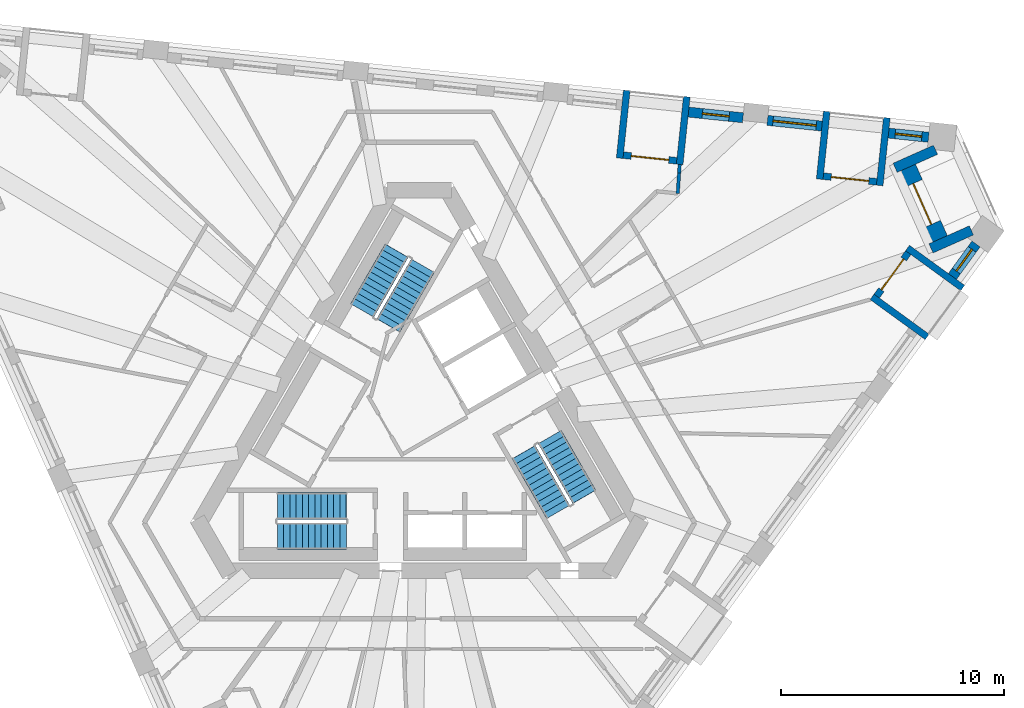
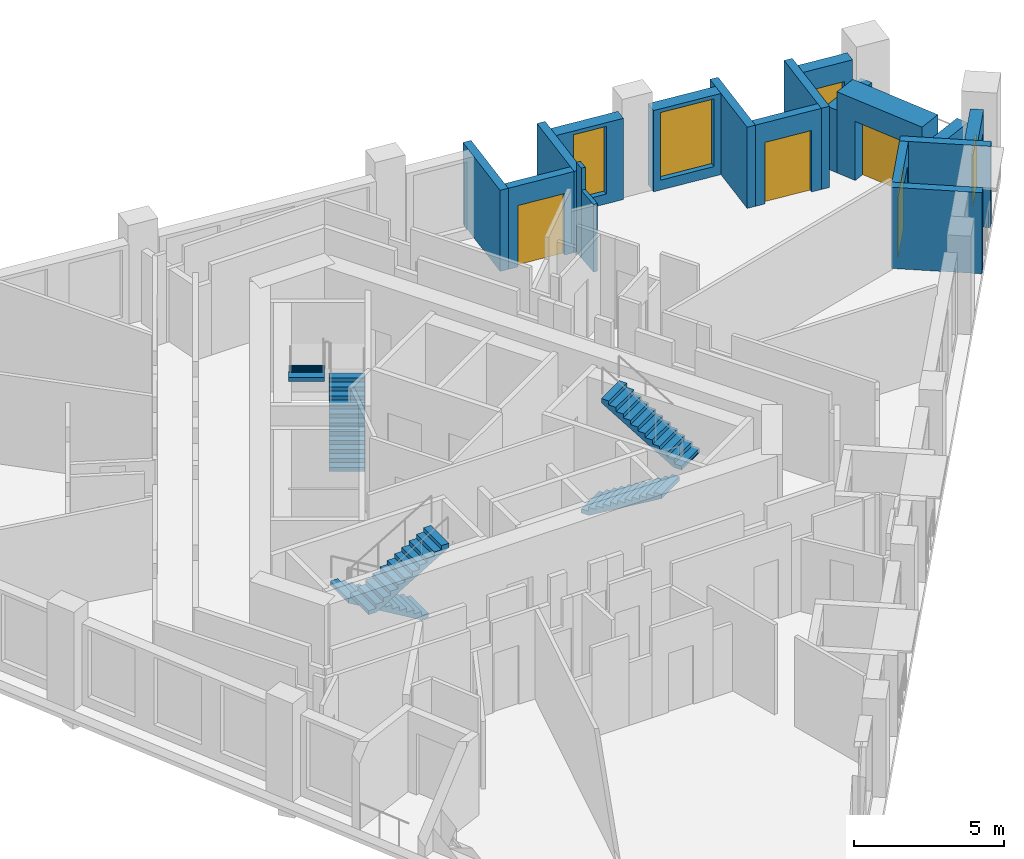
# One storey, part 8 of 11: 18 walls, 6 stair flights, 4 doors, 4 windows, 8 openings, 3 elements without a shape of their own.
"""IFC4 building model written with IfcOpenShell, lengths in metres."""

from ifc_helpers import new_model, si_unit, direction, frame, frame_2d, origin, place, context, subcontext, project, spatial, polyline, rectangle, outline, extrude, material, layer, layer_set, type_object, element, fill, aggregate, save


model = new_model("IFC4")

# Units and contexts
model_context = context("Model", 3, precision=1e-05, world=origin(), true_north=direction((0.0, 1.0)))
body_context = subcontext(model_context, "Body", "Model", "MODEL_VIEW")
ifc_project = project(units=[si_unit("LENGTHUNIT", "METRE"), si_unit("AREAUNIT", "SQUARE_METRE"), si_unit("VOLUMEUNIT", "CUBIC_METRE"), si_unit("PLANEANGLEUNIT", "RADIAN"), si_unit("MASSUNIT", "GRAM", prefix="KILO")], contexts=[model_context])

# Site, building, storey
site_placement = place(None, origin())
site = spatial("IfcSite", under=ifc_project, at=site_placement, CompositionType="ELEMENT")
building_placement = place(site_placement, origin())
building = spatial("IfcBuilding", under=site, at=building_placement, Name="Tramontana Tower", CompositionType="ELEMENT")
storey_placement = place(building_placement, frame((0.0, 0.0, 249.199951171875)))
storey = spatial("IfcBuildingStorey", under=building, at=storey_placement, Name="L58", CompositionType="ELEMENT", Elevation=249.199951171875)

# Wall, opening, window
ifc_material_1 = material(Name="Precast concrete 60 MPa", Category="concrete")
ifc_layer_1 = layer(ifc_material_1, 0.449951171875)
ifc_layer_set_1 = layer_set([ifc_layer_1], Name="Precast concrete 60 MPa, 450 mm")
wall_type_1 = type_object("IfcWallType", Name="EW1 Stone-faced precast wall 450", PredefinedType="SOLIDWALL", material=ifc_layer_set_1)
wall_1_placement = place(storey_placement, frame((23.868408203125, 6.77978515625, 0.0), z_axis=(0.0, 0.0, 1.0), x_axis=(0.587793056764, 0.809011324037, 0.0)))
wall_1 = element("IfcWall", 1, at=wall_1_placement, inside=storey, type_object=wall_type_1, Name="External wall L58 face 1 bay 5", PredefinedType="SOLIDWALL", context=body_context, shape_type="SweptSolid", body=[
    extrude(rectangle(XDim=1.80224609375, YDim=0.449951171875, at=frame_2d((0.901123046875, 0.0))), origin(), (0.0, 0.0, 1.0), 3.300048828125),
])
opening_1_placement = place(wall_1_placement, frame((0.301025390625, 0.0, 0.39990234375)))
opening_1 = element("IfcOpeningElement", 2, at=opening_1_placement, cuts=wall_1, Name="Opening N3L", PredefinedType="OPENING", context=body_context, shape_type="SweptSolid", body=[
    extrude(rectangle(XDim=1.199951171875, YDim=2.10009765625, at=frame_2d((0.60009765625, 1.050048828125))), frame((0.0, 0.23486328125, 0.0), z_axis=(0.0, -1.0, 0.0), x_axis=(1.0, 0.0, 0.0)), (0.0, 0.0, 1.0), 0.469970703125),
])
ifc_material_2 = material(Name="Aluminum frame, double glazing unit", Category="aluminium")
window_type_1 = type_object("IfcWindowType", Name="N3L Window 1.2 x 2.1", PartitioningType="SINGLE_PANEL", PredefinedType="WINDOW", material=ifc_material_2)
window_1_placement = place(opening_1_placement, origin())
window_1 = element("IfcWindow", 3, at=window_1_placement, inside=storey, type_object=window_type_1, Name="Window N3L L58 face 1 module 15", OverallHeight=2.10009765625, OverallWidth=1.199951171875, PartitioningType="SINGLE_PANEL", PredefinedType="WINDOW", context=body_context, shape_type="SweptSolid", body=[
    extrude(rectangle(XDim=1.199951171875, YDim=2.10009765625, at=frame_2d((0.60009765625, 1.050048828125))), frame((0.0, 0.030029296875, 0.0), z_axis=(0.0, -1.0, 0.0), x_axis=(1.0, 0.0, 0.0)), (0.0, 0.0, 1.0), 0.06005859375),
])
fill(opening_1, window_1)

wall_2_placement = place(storey_placement, frame((22.8017578125, 13.012939453125, 0.0), z_axis=(0.0, 0.0, 1.0), x_axis=(-0.994529922737, 0.104452059724, 0.0)))
wall_2 = element("IfcWall", 4, at=wall_2_placement, inside=storey, type_object=wall_type_1, Name="External wall L58 face 2 bay 1", PredefinedType="SOLIDWALL", context=body_context, shape_type="SweptSolid", body=[
    extrude(rectangle(XDim=1.802001953125, YDim=0.449951171875, at=frame_2d((0.90087890625, 0.0))), origin(), (0.0, 0.0, 1.0), 3.300048828125),
])
opening_2_placement = place(wall_2_placement, frame((0.301025390625, 0.0, 0.39990234375)))
opening_2 = element("IfcOpeningElement", 5, at=opening_2_placement, cuts=wall_2, Name="Opening N3L", PredefinedType="OPENING", context=body_context, shape_type="SweptSolid", body=[
    extrude(rectangle(XDim=1.199951171875, YDim=2.10009765625, at=frame_2d((0.60009765625, 1.050048828125))), frame((0.0, 0.23486328125, 0.0), z_axis=(0.0, -1.0, 0.0), x_axis=(1.0, 0.0, 0.0)), (0.0, 0.0, 1.0), 0.469970703125),
])
window_2_placement = place(opening_2_placement, origin())
window_2 = element("IfcWindow", 6, at=window_2_placement, inside=storey, type_object=window_type_1, Name="Window N3L L58 face 2 module 1", OverallHeight=2.10009765625, OverallWidth=1.199951171875, PartitioningType="SINGLE_PANEL", PredefinedType="WINDOW", context=body_context, shape_type="SweptSolid", body=[
    extrude(rectangle(XDim=1.199951171875, YDim=2.10009765625, at=frame_2d((0.60009765625, 1.050048828125))), frame((0.0, 0.030029296875, 0.0), z_axis=(0.0, -1.0, 0.0), x_axis=(1.0, 0.0, 0.0)), (0.0, 0.0, 1.0), 0.06005859375),
])
fill(opening_2, window_2)

wall_3_placement = place(storey_placement, frame((18.023681640625, 13.51513671875, 0.0), z_axis=(0.0, 0.0, 1.0), x_axis=(-0.994520717537, 0.104539668977, 0.0)))
wall_3 = element("IfcWall", 7, at=wall_3_placement, inside=storey, type_object=wall_type_1, Name="External wall L58 face 2 bay 1", PredefinedType="SOLIDWALL", context=body_context, shape_type="SweptSolid", body=[
    extrude(rectangle(XDim=2.4521484375, YDim=0.449951171875, at=frame_2d((1.22607421875, 0.0))), origin(), (0.0, 0.0, 1.0), 3.300048828125),
])
opening_3_placement = place(wall_3_placement, frame((0.251220703125, 0.0, 0.39990234375)))
opening_3 = element("IfcOpeningElement", 8, at=opening_3_placement, cuts=wall_3, Name="Opening M3", PredefinedType="OPENING", context=body_context, shape_type="SweptSolid", body=[
    extrude(rectangle(XDim=1.949951171875, YDim=2.75, at=frame_2d((0.97509765625, 1.375))), frame((0.0, 0.23486328125, 0.0), z_axis=(0.0, -1.0, 0.0), x_axis=(1.0, 0.0, 0.0)), (0.0, 0.0, 1.0), 0.469970703125),
])
ifc_material_3 = material(Name="Aluminum frame, double glazing unit", Category="aluminium")
window_type_2 = type_object("IfcWindowType", Name="M3 Window 1.95 x 2.75", PartitioningType="SINGLE_PANEL", PredefinedType="WINDOW", material=ifc_material_3)
window_3_placement = place(opening_3_placement, origin())
window_3 = element("IfcWindow", 9, at=window_3_placement, inside=storey, type_object=window_type_2, Name="Window M3 L58 face 2 module 3", OverallHeight=2.75, OverallWidth=1.949951171875, PartitioningType="SINGLE_PANEL", PredefinedType="WINDOW", context=body_context, shape_type="SweptSolid", body=[
    extrude(rectangle(XDim=1.949951171875, YDim=2.75, at=frame_2d((0.97509765625, 1.375))), frame((0.0, 0.030029296875, 0.0), z_axis=(0.0, -1.0, 0.0), x_axis=(1.0, 0.0, 0.0)), (0.0, 0.0, 1.0), 0.06005859375),
])
fill(opening_3, window_3)

wall_4_placement = place(storey_placement, frame((14.490966796875, 13.886474609375, 0.0), z_axis=(0.0, 0.0, 1.0), x_axis=(-0.99453214974, 0.104430853361, 0.0)))
wall_4 = element("IfcWall", 10, at=wall_4_placement, inside=storey, type_object=wall_type_1, Name="External wall L58 face 2 bay 2", PredefinedType="SOLIDWALL", context=body_context, shape_type="SweptSolid", body=[
    extrude(rectangle(XDim=2.452392578125, YDim=0.449951171875, at=frame_2d((1.22607421875, 0.0))), origin(), (0.0, 0.0, 1.0), 3.300048828125),
])
opening_4_placement = place(wall_4_placement, frame((0.626220703125, 0.0, 0.39990234375)))
opening_4 = element("IfcOpeningElement", 11, at=opening_4_placement, cuts=wall_4, Name="Opening N3", PredefinedType="OPENING", context=body_context, shape_type="SweptSolid", body=[
    extrude(rectangle(XDim=1.199951171875, YDim=2.75, at=frame_2d((0.60009765625, 1.375))), frame((0.0, 0.23486328125, 0.0), z_axis=(0.0, -1.0, 0.0), x_axis=(1.0, 0.0, 0.0)), (0.0, 0.0, 1.0), 0.469970703125),
])
ifc_material_4 = material(Name="Aluminum frame, double glazing unit", Category="aluminium")
window_type_3 = type_object("IfcWindowType", Name="N3 Window 1.2 x 2.75", PartitioningType="SINGLE_PANEL", PredefinedType="WINDOW", material=ifc_material_4)
window_4_placement = place(opening_4_placement, origin())
window_4 = element("IfcWindow", 12, at=window_4_placement, inside=storey, type_object=window_type_3, Name="Window N3 L58 face 2 module 4", OverallHeight=2.75, OverallWidth=1.199951171875, PartitioningType="SINGLE_PANEL", PredefinedType="WINDOW", context=body_context, shape_type="SweptSolid", body=[
    extrude(rectangle(XDim=1.199951171875, YDim=2.75, at=frame_2d((0.60009765625, 1.375))), frame((0.0, 0.030029296875, 0.0), z_axis=(0.0, -1.0, 0.0), x_axis=(1.0, 0.0, 0.0)), (0.0, 0.0, 1.0), 0.06005859375),
])
fill(opening_4, window_4)

# Walls
for number, where, z_axis, x_axis, name in (
    (13, (23.112548828125, 12.452392578125, 0.0), (0.0, 0.0, 1.0), (-0.913516289312, -0.406802149899, 0.0), "Corner loggia side wall L58 K62l"),
    (14, (24.71923828125, 8.84375, 0.0), (0.0, 0.0, 1.0), (-0.913562124494, -0.406699206651, 0.0), "Corner loggia side wall L58 K62r"),
):
    element("IfcWall", number, at=place(storey_placement, frame(where, z_axis=z_axis, x_axis=x_axis)), inside=storey, type_object=wall_type_1, Name=name, PredefinedType="SOLIDWALL", context=body_context, shape_type="SweptSolid", body=[
        extrude(rectangle(XDim=1.979248046875, YDim=0.449951171875, at=frame_2d((0.98974609375, 0.0))), origin(), (0.0, 0.0, 1.0), 2.550048828125),
    ])

# Wall, opening, door
ifc_material_5 = material(Name="Precast concrete 60 MPa", Category="concrete")
ifc_layer_2 = layer(ifc_material_5, 0.89990234375)
ifc_layer_set_2 = layer_set([ifc_layer_2], Name="EW2 Stone-faced corner loggia wall 900")
wall_type_2 = type_object("IfcWallType", Name="EW2 Stone-faced corner loggia wall 900", PredefinedType="SOLIDWALL", material=ifc_layer_set_2)
wall_5_placement = place(storey_placement, frame((21.80712890625, 11.624755859375, 0.0), z_axis=(0.0, 0.0, 1.0), x_axis=(0.406727323635, -0.913549606868, 0.0)))
wall_5 = element("IfcWall", 15, at=wall_5_placement, inside=storey, type_object=wall_type_2, Name="Corner loggia wall L58 K62", PredefinedType="SOLIDWALL", context=body_context, shape_type="SweptSolid", body=[
    extrude(rectangle(XDim=3.5, YDim=0.89990234375, at=frame_2d((1.75, 0.0))), origin(), (0.0, 0.0, 1.0), 3.300048828125),
])
opening_5_placement = place(wall_5_placement, frame((0.75, 0.0, 0.0)))
opening_5 = element("IfcOpeningElement", 16, at=opening_5_placement, cuts=wall_5, Name="Opening BD-62C", PredefinedType="OPENING", context=body_context, shape_type="SweptSolid", body=[
    extrude(rectangle(XDim=2.0, YDim=2.39990234375, at=frame_2d((1.0, 1.199951171875))), frame((0.0, 0.4599609375, 0.0), z_axis=(0.0, -1.0, 0.0), x_axis=(1.0, 0.0, 0.0)), (0.0, 0.0, 1.0), 0.919921875),
])
ifc_material_6 = material(Name="Aluminum frame, double glazing unit", Category="aluminium")
door_type_1 = type_object("IfcDoorType", Name="BC1 Sliding door 2 x 2.4", OperationType="SLIDING_TO_LEFT", PredefinedType="DOOR", material=ifc_material_6)
door_1_placement = place(opening_5_placement, origin())
door_1 = element("IfcDoor", 17, at=door_1_placement, inside=storey, type_object=door_type_1, Name="Corner loggia door L58 K62", OperationType="SLIDING_TO_LEFT", OverallHeight=2.39990234375, OverallWidth=2.0, PredefinedType="DOOR", context=body_context, shape_type="SweptSolid", body=[
    extrude(rectangle(XDim=2.0, YDim=2.39990234375, at=frame_2d((1.0, 1.199951171875))), frame((0.0, 0.02490234375, 0.0), z_axis=(0.0, -1.0, 0.0), x_axis=(1.0, 0.0, 0.0)), (0.0, 0.0, 1.0), 0.050048828125),
])
fill(opening_5, door_1)

ifc_material_7 = material(Name="Precast concrete 60 MPa", Category="concrete")
ifc_layer_3 = layer(ifc_material_7, 0.300048828125)
ifc_layer_set_3 = layer_set([ifc_layer_3], Name="LW1 Stone-faced loggia wall 300")
wall_type_3 = type_object("IfcWallType", Name="LW1 Stone-faced loggia wall 300", PredefinedType="SOLIDWALL", material=ifc_layer_set_3)
wall_6_placement = place(storey_placement, frame((20.47998046875, 5.9013671875, 0.0), z_axis=(0.0, 0.0, 1.0), x_axis=(0.587833242688, 0.808982125137, 0.0)))
wall_6 = element("IfcWall", 18, at=wall_6_placement, inside=storey, type_object=wall_type_3, Name="Loggia wall L58 G6S1.13", PredefinedType="SOLIDWALL", context=body_context, shape_type="SweptSolid", body=[
    extrude(rectangle(XDim=2.40234375, YDim=0.300048828125, at=frame_2d((1.201171875, 0.0))), origin(), (0.0, 0.0, 1.0), 3.300048828125),
])
opening_6_placement = place(wall_6_placement, frame((0.35107421875, 0.0, 0.0)))
opening_6 = element("IfcOpeningElement", 19, at=opening_6_placement, cuts=wall_6, Name="Opening BD-6S1-13", PredefinedType="OPENING", context=body_context, shape_type="SweptSolid", body=[
    extrude(rectangle(XDim=1.699951171875, YDim=2.5, at=frame_2d((0.85009765625, 1.25))), frame((0.0, 0.159912109375, 0.0), z_axis=(0.0, -1.0, 0.0), x_axis=(1.0, 0.0, 0.0)), (0.0, 0.0, 1.0), 0.320068359375),
])
ifc_material_8 = material(Name="Aluminum frame, double glazing unit", Category="aluminium")
door_type_2 = type_object("IfcDoorType", Name="BD3 Sliding door 1.7 x 2.5", OperationType="SLIDING_TO_LEFT", PredefinedType="DOOR", material=ifc_material_8)
door_2_placement = place(opening_6_placement, origin())
door_2 = element("IfcDoor", 20, at=door_2_placement, inside=storey, type_object=door_type_2, Name="Loggia door L58 G6S1.13", OperationType="SLIDING_TO_LEFT", OverallHeight=2.5, OverallWidth=1.699951171875, PredefinedType="DOOR", context=body_context, shape_type="SweptSolid", body=[
    extrude(rectangle(XDim=1.699951171875, YDim=2.5, at=frame_2d((0.85009765625, 1.25))), frame((0.0, 0.02490234375, 0.0), z_axis=(0.0, -1.0, 0.0), x_axis=(1.0, 0.0, 0.0)), (0.0, 0.0, 1.0), 0.050048828125),
])
fill(opening_6, door_2)

# Walls
for number, where, z_axis, x_axis, name in (
    (21, (22.738037109375, 4.075439453125, 0.0), (0.0, 0.0, 1.0), (-0.80902328748, 0.587776590479, 0.0), "Loggia return L58 G6S1.13a"),
    (22, (24.326416015625, 6.261474609375, 0.0), (0.0, 0.0, 1.0), (-0.808985223782, 0.587828978278, 0.0), "Loggia return L58 G6S1.13b"),
):
    element("IfcWall", number, at=place(storey_placement, frame(where, z_axis=z_axis, x_axis=x_axis)), inside=storey, type_object=wall_type_3, Name=name, PredefinedType="SOLIDWALL", context=body_context, shape_type="SweptSolid", body=[
        extrude(rectangle(XDim=3.050048828125, YDim=0.300048828125, at=frame_2d((1.52490234375, 0.0))), origin(), (0.0, 0.0, 1.0), 3.300048828125),
    ])

# Wall, opening, door
wall_7_placement = place(storey_placement, frame((20.478515625, 11.019775390625, 0.0), z_axis=(0.0, 0.0, 1.0), x_axis=(-0.994517140727, 0.104573690763, 0.0)))
wall_7 = element("IfcWall", 23, at=wall_7_placement, inside=storey, type_object=wall_type_3, Name="Loggia wall L58 G6S2.1", PredefinedType="SOLIDWALL", context=body_context, shape_type="SweptSolid", body=[
    extrude(rectangle(XDim=2.40234375, YDim=0.300048828125, at=frame_2d((1.201171875, 0.0))), origin(), (0.0, 0.0, 1.0), 3.300048828125),
])
opening_7_placement = place(wall_7_placement, frame((0.35107421875, 0.0, 0.0)))
opening_7 = element("IfcOpeningElement", 24, at=opening_7_placement, cuts=wall_7, Name="Opening BD-6S2-01", PredefinedType="OPENING", context=body_context, shape_type="SweptSolid", body=[
    extrude(rectangle(XDim=1.699951171875, YDim=2.5, at=frame_2d((0.85009765625, 1.25))), frame((0.0, 0.159912109375, 0.0), z_axis=(0.0, -1.0, 0.0), x_axis=(1.0, 0.0, 0.0)), (0.0, 0.0, 1.0), 0.320068359375),
])
door_3_placement = place(opening_7_placement, origin())
door_3 = element("IfcDoor", 25, at=door_3_placement, inside=storey, type_object=door_type_2, Name="Loggia door L58 G6S2.1", OperationType="SLIDING_TO_LEFT", OverallHeight=2.5, OverallWidth=1.699951171875, PredefinedType="DOOR", context=body_context, shape_type="SweptSolid", body=[
    extrude(rectangle(XDim=1.699951171875, YDim=2.5, at=frame_2d((0.85009765625, 1.25))), frame((0.0, 0.02490234375, 0.0), z_axis=(0.0, -1.0, 0.0), x_axis=(1.0, 0.0, 0.0)), (0.0, 0.0, 1.0), 0.050048828125),
])
fill(opening_7, door_3)

# Walls
for number, where, z_axis, x_axis, name in (
    (26, (20.930908203125, 13.88818359375, 0.0), (0.0, 0.0, 1.0), (-0.104543108891, -0.994520355942, 0.0), "Loggia return L58 G6S2.1a"),
    (27, (18.243408203125, 14.170654296875, 0.0), (0.0, 0.0, 1.0), (-0.104543108891, -0.994520355942, 0.0), "Loggia return L58 G6S2.1b"),
):
    element("IfcWall", number, at=place(storey_placement, frame(where, z_axis=z_axis, x_axis=x_axis)), inside=storey, type_object=wall_type_3, Name=name, PredefinedType="SOLIDWALL", context=body_context, shape_type="SweptSolid", body=[
        extrude(rectangle(XDim=3.0498046875, YDim=0.300048828125, at=frame_2d((1.52490234375, 0.0))), origin(), (0.0, 0.0, 1.0), 3.300048828125),
    ])

# Wall, opening, door
wall_8_placement = place(storey_placement, frame((11.521240234375, 11.961181640625, 0.0), z_axis=(0.0, 0.0, 1.0), x_axis=(-0.994517140727, 0.104573690763, 0.0)))
wall_8 = element("IfcWall", 28, at=wall_8_placement, inside=storey, type_object=wall_type_3, Name="Loggia wall L58 G6S2.4", PredefinedType="SOLIDWALL", context=body_context, shape_type="SweptSolid", body=[
    extrude(rectangle(XDim=2.40234375, YDim=0.300048828125, at=frame_2d((1.201171875, 0.0))), origin(), (0.0, 0.0, 1.0), 3.300048828125),
])
opening_8_placement = place(wall_8_placement, frame((0.35107421875, 0.0, 0.0)))
opening_8 = element("IfcOpeningElement", 29, at=opening_8_placement, cuts=wall_8, Name="Opening BD-6S2-04", PredefinedType="OPENING", context=body_context, shape_type="SweptSolid", body=[
    extrude(rectangle(XDim=1.699951171875, YDim=2.5, at=frame_2d((0.85009765625, 1.25))), frame((0.0, 0.159912109375, 0.0), z_axis=(0.0, -1.0, 0.0), x_axis=(1.0, 0.0, 0.0)), (0.0, 0.0, 1.0), 0.320068359375),
])
door_4_placement = place(opening_8_placement, origin())
door_4 = element("IfcDoor", 30, at=door_4_placement, inside=storey, type_object=door_type_2, Name="Loggia door L58 G6S2.4", OperationType="SLIDING_TO_LEFT", OverallHeight=2.5, OverallWidth=1.699951171875, PredefinedType="DOOR", context=body_context, shape_type="SweptSolid", body=[
    extrude(rectangle(XDim=1.699951171875, YDim=2.5, at=frame_2d((0.85009765625, 1.25))), frame((0.0, 0.02490234375, 0.0), z_axis=(0.0, -1.0, 0.0), x_axis=(1.0, 0.0, 0.0)), (0.0, 0.0, 1.0), 0.050048828125),
])
fill(opening_8, door_4)

# Walls
for number, where, z_axis, x_axis, name in (
    (31, (11.973388671875, 14.82958984375, 0.0), (0.0, 0.0, 1.0), (-0.104463934444, -0.994528675504, 0.0), "Loggia return L58 G6S2.4a"),
    (32, (9.2861328125, 15.112060546875, 0.0), (0.0, 0.0, 1.0), (-0.104543108891, -0.994520355942, 0.0), "Loggia return L58 G6S2.4b"),
):
    element("IfcWall", number, at=place(storey_placement, frame(where, z_axis=z_axis, x_axis=x_axis)), inside=storey, type_object=wall_type_3, Name=name, PredefinedType="SOLIDWALL", context=body_context, shape_type="SweptSolid", body=[
        extrude(rectangle(XDim=3.0498046875, YDim=0.300048828125, at=frame_2d((1.52490234375, 0.0))), origin(), (0.0, 0.0, 1.0), 3.300048828125),
    ])
ifc_material_9 = material(Name="Gypsum board partition")
ifc_layer_4 = layer(ifc_material_9, 0.14990234375)
ifc_layer_set_4 = layer_set([ifc_layer_4], Name="PARTITION 150")
wall_type_4 = type_object("IfcWallType", Name="PARTITION 150", PredefinedType="PARTITIONING", material=ifc_layer_set_4)
wall_9_placement = place(storey_placement, frame((11.56884765625, 10.5, 0.0), z_axis=(0.0, 0.0, 1.0), x_axis=(0.065954162618, 0.997822653798, 0.0)))
element("IfcWall", 33, at=wall_9_placement, inside=storey, type_object=wall_type_4, Name="Wall v61-pw36-0", PredefinedType="PARTITIONING", context=body_context, shape_type="SweptSolid", body=[
    extrude(rectangle(XDim=0.91796875, YDim=0.14990234375, at=frame_2d((0.458984375, 0.0))), origin(), (0.0, 0.0, 1.0), 2.75),
])
wall_10_placement = place(storey_placement, frame((11.62939453125, 11.416015625, 0.0), z_axis=(0.0, 0.0, 1.0), x_axis=(0.066604022224, 0.997779486772, 0.0)))
element("IfcWall", 34, at=wall_10_placement, inside=storey, type_object=wall_type_4, Name="Wall v61-pw36-1", PredefinedType="PARTITIONING", context=body_context, shape_type="SweptSolid", body=[
    extrude(rectangle(XDim=0.381103515625, YDim=0.14990234375, at=frame_2d((0.1904296875, 0.0))), origin(), (0.0, 0.0, 1.0), 3.650146484375),
])

# Stair, stair flights
ifc_material_10 = material(Name="Concrete 40 MPa", Category="concrete")
stair_type = type_object("IfcStairType", Name="EXIT STAIR 24 RISERS", PredefinedType="HALF_TURN_STAIR", material=ifc_material_10)
stair_1_placement = place(storey_placement, origin())
stair_1 = element("IfcStair", 35, at=stair_1_placement, inside=storey, type_object=stair_type, Name="L58 Exit stair ST1", PredefinedType="HALF_TURN_STAIR")
ifc_material_11 = material(Name="Concrete 40 MPa", Category="concrete")
ifc_layer_5 = layer(ifc_material_11, 0.14990234375)
ifc_layer_set_5 = layer_set([ifc_layer_5], Name="EXIT STAIR FLIGHT")
stair_flight_type = type_object("IfcStairFlightType", Name="EXIT STAIR FLIGHT", PredefinedType="STRAIGHT", material=ifc_layer_set_5)
stair_flight_1_placement = place(storey_placement, frame((-1.39111328125, 4.590576171875, 0.0), z_axis=(0.0, 0.0, 1.0), x_axis=(0.5, 0.866025403784, 0.0)))
stair_flight_1 = element("IfcStairFlight", 36, at=stair_flight_1_placement, type_object=stair_flight_type, Name="ST1 flight 1", NumberOfRisers=12, NumberOfTreads=11, PredefinedType="STRAIGHT", RiserHeight=0.166666667, TreadLength=0.28, context=body_context, shape_type="SweptSolid", body=[
    extrude(outline(polyline([(-0.006103515625, 0.0), (-0.006103515625, 0.0400390625), (0.0, 0.0400390625), (0.0, 0.166748046875), (0.280029296875, 0.166748046875), (0.280029296875, 0.333251953125), (0.56005859375, 0.333251953125), (0.56005859375, 0.5), (0.840087890625, 0.5), (0.840087890625, 0.666748046875), (1.1201171875, 0.666748046875), (1.1201171875, 0.833251953125), (1.39990234375, 0.833251953125), (1.39990234375, 1.0), (1.679931640625, 1.0), (1.679931640625, 1.166748046875), (1.9599609375, 1.166748046875), (1.9599609375, 1.333251953125), (2.239990234375, 1.333251953125), (2.239990234375, 1.5), (2.52001953125, 1.5), (2.52001953125, 1.666748046875), (2.800048828125, 1.666748046875), (2.800048828125, 1.833251953125), (3.080078125, 1.833251953125), (3.0859375, 1.833251953125), (3.0859375, 1.658935546875), (0.299072265625, 0.0), (-0.006103515625, 0.0)])), frame((0.0, 0.60009765625, 0.0), z_axis=(0.0, -1.0, 0.0), x_axis=(1.0, 0.0, 0.0)), (0.0, 0.0, 1.0), 1.199951171875),
])
stair_flight_2_placement = place(storey_placement, frame((-1.020263671875, 7.932861328125, 2.0), z_axis=(0.0, 0.0, 1.0), x_axis=(-0.5, -0.866025403784, 0.0)))
stair_flight_2 = element("IfcStairFlight", 37, at=stair_flight_2_placement, type_object=stair_flight_type, Name="ST1 flight 2", NumberOfRisers=12, NumberOfTreads=11, PredefinedType="STRAIGHT", RiserHeight=0.166666667, TreadLength=0.28, context=body_context, shape_type="SweptSolid", body=[
    extrude(outline(polyline([(-0.006103515625, 0.0), (-0.006103515625, 0.0400390625), (0.0, 0.0400390625), (0.0, 0.166748046875), (0.280029296875, 0.166748046875), (0.280029296875, 0.333251953125), (0.56005859375, 0.333251953125), (0.56005859375, 0.5), (0.840087890625, 0.5), (0.840087890625, 0.666748046875), (1.1201171875, 0.666748046875), (1.1201171875, 0.833251953125), (1.39990234375, 0.833251953125), (1.39990234375, 1.0), (1.679931640625, 1.0), (1.679931640625, 1.166748046875), (1.9599609375, 1.166748046875), (1.9599609375, 1.333251953125), (2.239990234375, 1.333251953125), (2.239990234375, 1.5), (2.52001953125, 1.5), (2.52001953125, 1.666748046875), (2.800048828125, 1.666748046875), (2.800048828125, 1.833251953125), (3.080078125, 1.833251953125), (3.0859375, 1.833251953125), (3.0859375, 1.658935546875), (0.299072265625, 0.0), (-0.006103515625, 0.0)])), frame((0.0, 0.60009765625, 0.0), z_axis=(0.0, -1.0, 0.0), x_axis=(1.0, 0.0, 0.0)), (0.0, 0.0, 1.0), 1.199951171875),
])
aggregate(stair_1, [stair_flight_1, stair_flight_2])

stair_2_placement = place(storey_placement, origin())
stair_2 = element("IfcStair", 38, at=stair_2_placement, inside=storey, type_object=stair_type, Name="L58 Exit stair ST2", PredefinedType="HALF_TURN_STAIR")
stair_flight_3_placement = place(storey_placement, frame((-3.280029296875, -3.5, 0.0), z_axis=(0.0, 0.0, 1.0), x_axis=(-1.0, 0.0, 0.0)))
stair_flight_3 = element("IfcStairFlight", 39, at=stair_flight_3_placement, type_object=stair_flight_type, Name="ST2 flight 1", NumberOfRisers=12, NumberOfTreads=11, PredefinedType="STRAIGHT", RiserHeight=0.166666667, TreadLength=0.28, context=body_context, shape_type="SweptSolid", body=[
    extrude(outline(polyline([(-0.006103515625, 0.0), (-0.006103515625, 0.0400390625), (0.0, 0.0400390625), (0.0, 0.166748046875), (0.280029296875, 0.166748046875), (0.280029296875, 0.333251953125), (0.56005859375, 0.333251953125), (0.56005859375, 0.5), (0.840087890625, 0.5), (0.840087890625, 0.666748046875), (1.1201171875, 0.666748046875), (1.1201171875, 0.833251953125), (1.39990234375, 0.833251953125), (1.39990234375, 1.0), (1.679931640625, 1.0), (1.679931640625, 1.166748046875), (1.9599609375, 1.166748046875), (1.9599609375, 1.333251953125), (2.239990234375, 1.333251953125), (2.239990234375, 1.5), (2.52001953125, 1.5), (2.52001953125, 1.666748046875), (2.800048828125, 1.666748046875), (2.800048828125, 1.833251953125), (3.080078125, 1.833251953125), (3.0859375, 1.833251953125), (3.0859375, 1.658935546875), (0.299072265625, 0.0), (-0.006103515625, 0.0)])), frame((0.0, 0.60009765625, 0.0), z_axis=(0.0, -1.0, 0.0), x_axis=(1.0, 0.0, 0.0)), (0.0, 0.0, 1.0), 1.199951171875),
])
stair_flight_4_placement = place(storey_placement, frame((-6.360107421875, -4.85009765625, 2.0), z_axis=(0.0, 0.0, 1.0), x_axis=(1.0, 0.0, 0.0)))
stair_flight_4 = element("IfcStairFlight", 40, at=stair_flight_4_placement, type_object=stair_flight_type, Name="ST2 flight 2", NumberOfRisers=12, NumberOfTreads=11, PredefinedType="STRAIGHT", RiserHeight=0.166666667, TreadLength=0.28, context=body_context, shape_type="SweptSolid", body=[
    extrude(outline(polyline([(-0.006103515625, 0.0), (-0.006103515625, 0.0400390625), (0.0, 0.0400390625), (0.0, 0.166748046875), (0.280029296875, 0.166748046875), (0.280029296875, 0.333251953125), (0.56005859375, 0.333251953125), (0.56005859375, 0.5), (0.840087890625, 0.5), (0.840087890625, 0.666748046875), (1.1201171875, 0.666748046875), (1.1201171875, 0.833251953125), (1.39990234375, 0.833251953125), (1.39990234375, 1.0), (1.679931640625, 1.0), (1.679931640625, 1.166748046875), (1.9599609375, 1.166748046875), (1.9599609375, 1.333251953125), (2.239990234375, 1.333251953125), (2.239990234375, 1.5), (2.52001953125, 1.5), (2.52001953125, 1.666748046875), (2.800048828125, 1.666748046875), (2.800048828125, 1.833251953125), (3.080078125, 1.833251953125), (3.0859375, 1.833251953125), (3.0859375, 1.658935546875), (0.299072265625, 0.0), (-0.006103515625, 0.0)])), frame((0.0, 0.60009765625, 0.0), z_axis=(0.0, -1.0, 0.0), x_axis=(1.0, 0.0, 0.0)), (0.0, 0.0, 1.0), 1.199951171875),
])
aggregate(stair_2, [stair_flight_3, stair_flight_4])

stair_3_placement = place(storey_placement, origin())
stair_3 = element("IfcStair", 41, at=stair_3_placement, inside=storey, type_object=stair_type, Name="L58 Exit stair ST3", PredefinedType="HALF_TURN_STAIR")
stair_flight_5_placement = place(storey_placement, frame((4.671142578125, -1.090576171875, 0.0), z_axis=(0.0, 0.0, 1.0), x_axis=(0.5, -0.866025403784, 0.0)))
stair_flight_5 = element("IfcStairFlight", 42, at=stair_flight_5_placement, type_object=stair_flight_type, Name="ST3 flight 1", NumberOfRisers=12, NumberOfTreads=11, PredefinedType="STRAIGHT", RiserHeight=0.166666667, TreadLength=0.28, context=body_context, shape_type="SweptSolid", body=[
    extrude(outline(polyline([(-0.006103515625, 0.0), (-0.006103515625, 0.0400390625), (0.0, 0.0400390625), (0.0, 0.166748046875), (0.280029296875, 0.166748046875), (0.280029296875, 0.333251953125), (0.56005859375, 0.333251953125), (0.56005859375, 0.5), (0.840087890625, 0.5), (0.840087890625, 0.666748046875), (1.1201171875, 0.666748046875), (1.1201171875, 0.833251953125), (1.39990234375, 0.833251953125), (1.39990234375, 1.0), (1.679931640625, 1.0), (1.679931640625, 1.166748046875), (1.9599609375, 1.166748046875), (1.9599609375, 1.333251953125), (2.239990234375, 1.333251953125), (2.239990234375, 1.5), (2.52001953125, 1.5), (2.52001953125, 1.666748046875), (2.800048828125, 1.666748046875), (2.800048828125, 1.833251953125), (3.080078125, 1.833251953125), (3.0859375, 1.833251953125), (3.0859375, 1.658935546875), (0.299072265625, 0.0), (-0.006103515625, 0.0)])), frame((0.0, 0.60009765625, 0.0), z_axis=(0.0, -1.0, 0.0), x_axis=(1.0, 0.0, 0.0)), (0.0, 0.0, 1.0), 1.199951171875),
])
stair_flight_6_placement = place(storey_placement, frame((7.380126953125, -3.0830078125, 2.0), z_axis=(0.0, 0.0, 1.0), x_axis=(-0.5, 0.866025403784, 0.0)))
stair_flight_6 = element("IfcStairFlight", 43, at=stair_flight_6_placement, type_object=stair_flight_type, Name="ST3 flight 2", NumberOfRisers=12, NumberOfTreads=11, PredefinedType="STRAIGHT", RiserHeight=0.166666667, TreadLength=0.28, context=body_context, shape_type="SweptSolid", body=[
    extrude(outline(polyline([(-0.006103515625, 0.0), (-0.006103515625, 0.0400390625), (0.0, 0.0400390625), (0.0, 0.166748046875), (0.280029296875, 0.166748046875), (0.280029296875, 0.333251953125), (0.56005859375, 0.333251953125), (0.56005859375, 0.5), (0.840087890625, 0.5), (0.840087890625, 0.666748046875), (1.1201171875, 0.666748046875), (1.1201171875, 0.833251953125), (1.39990234375, 0.833251953125), (1.39990234375, 1.0), (1.679931640625, 1.0), (1.679931640625, 1.166748046875), (1.9599609375, 1.166748046875), (1.9599609375, 1.333251953125), (2.239990234375, 1.333251953125), (2.239990234375, 1.5), (2.52001953125, 1.5), (2.52001953125, 1.666748046875), (2.800048828125, 1.666748046875), (2.800048828125, 1.833251953125), (3.080078125, 1.833251953125), (3.0859375, 1.833251953125), (3.0859375, 1.658935546875), (0.299072265625, 0.0), (-0.006103515625, 0.0)])), frame((0.0, 0.60009765625, 0.0), z_axis=(0.0, -1.0, 0.0), x_axis=(1.0, 0.0, 0.0)), (0.0, 0.0, 1.0), 1.199951171875),
])
aggregate(stair_3, [stair_flight_5, stair_flight_6])

save(model, "model.ifc")
